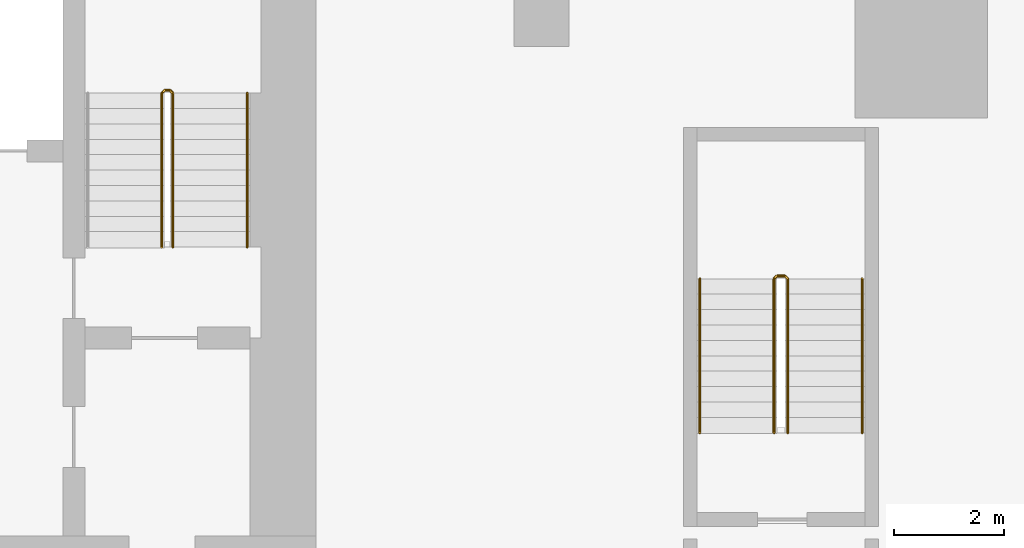
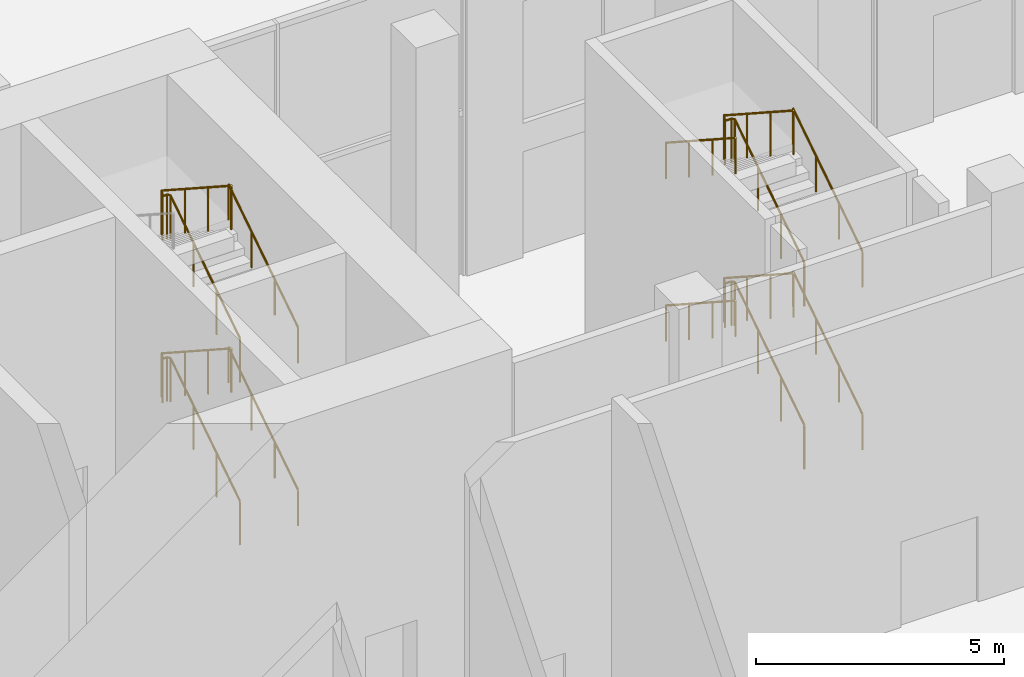
# One storey, part 31 of 31: 10 railings.
"""IFC4 building model written with IfcOpenShell, lengths in metres."""

from ifc_helpers import new_model, si_unit, direction, frame, origin, origin_2d, place, context, subcontext, project, spatial, circle, extrude, material, type_object, element, save


model = new_model("IFC4")

# Units and contexts
model_context = context("Model", 3, precision=1e-05, world=origin(), true_north=direction((0.0, 1.0)))
body_context = subcontext(model_context, "Body", "Model", "MODEL_VIEW")
ifc_project = project(units=[si_unit("LENGTHUNIT", "METRE"), si_unit("AREAUNIT", "SQUARE_METRE"), si_unit("VOLUMEUNIT", "CUBIC_METRE"), si_unit("PLANEANGLEUNIT", "RADIAN"), si_unit("MASSUNIT", "GRAM", prefix="KILO")], contexts=[model_context])

# Site, building, storey
site_placement = place(None, origin())
site = spatial("IfcSite", under=ifc_project, at=site_placement, CompositionType="ELEMENT")
building_placement = place(site_placement, origin())
building = spatial("IfcBuilding", under=site, at=building_placement, Name="Bicima Exchange Tower", CompositionType="ELEMENT")
storey_placement = place(building_placement, origin())
storey = spatial("IfcBuildingStorey", under=building, at=storey_placement, Name="L00", CompositionType="ELEMENT", Elevation=0.0)

# Railings
ifc_material = material(Name="Stainless steel", Category="steel")
railing_type_1 = type_object("IfcRailingType", Name="Stair guard 1100", PredefinedType="GUARDRAIL", material=ifc_material)
railing_1_placement = place(storey_placement, frame((19.39990234375, -6.550048828125, 0.181884765625)))
element("IfcRailing", 1, at=railing_1_placement, inside=storey, type_object=railing_type_1, Name="L00 ST-E stair guard 1", PredefinedType="GUARDRAIL", context=body_context, shape_type="SweptSolid", body=[
    extrude(circle(Radius=0.02392578125, at=origin_2d()), frame((0.0, 0.0, 1.076171875), z_axis=(0.0, 0.838705829183, 0.544584733623), x_axis=(-1.0, 0.0, 0.0)), (0.0, 0.0, 1.0), 3.338623046875),
    extrude(circle(Radius=0.02392578125, at=origin_2d()), frame((0.0, 2.800048828125, 2.89404296875), z_axis=(-0.705375805398, 0.708833529934, 0.0), x_axis=(-0.708833529934, -0.705375805398, 0.0)), (0.0, 0.0, 1.0), 0.070556640625),
    extrude(circle(Radius=0.02392578125, at=origin_2d()), frame((-0.0498046875, 2.85009765625, 2.89404296875), z_axis=(-1.0, 0.0, 0.0), x_axis=(0.0, -1.0, 0.0)), (0.0, 0.0, 1.0), 0.10009765625),
    extrude(circle(Radius=0.02392578125, at=origin_2d()), frame((-0.14990234375, 2.85009765625, 2.89404296875), z_axis=(-0.256435381639, -0.256435381639, 0.931923704005), x_axis=(0.707106781187, -0.707106781187, 0.0)), (0.0, 0.0, 1.0), 0.195068359375),
    extrude(circle(Radius=0.02392578125, at=origin_2d()), frame((-0.199951171875, 2.800048828125, 3.076171875), z_axis=(0.0, -0.838705829183, 0.544584733623), x_axis=(1.0, 0.0, 0.0)), (0.0, 0.0, 1.0), 3.338623046875),
    extrude(circle(Radius=0.02099609375, at=origin_2d()), origin(), (0.0, 0.0, 1.0), 1.052001953125),
    extrude(circle(Radius=0.02099609375, at=origin_2d()), frame((0.0, 0.933349609375, 0.60595703125)), (0.0, 0.0, 1.0), 1.052001953125),
    extrude(circle(Radius=0.02099609375, at=origin_2d()), frame((0.0, 1.86669921875, 1.212158203125)), (0.0, 0.0, 1.0), 1.052001953125),
    extrude(circle(Radius=0.02099609375, at=origin_2d()), frame((0.0, 2.800048828125, 1.818115234375)), (0.0, 0.0, 1.0), 1.052001953125),
    extrude(circle(Radius=0.02099609375, at=origin_2d()), frame((-0.0498046875, 2.85009765625, 1.818115234375)), (0.0, 0.0, 1.0), 1.052001953125),
    extrude(circle(Radius=0.02099609375, at=origin_2d()), frame((-0.14990234375, 2.85009765625, 1.818115234375)), (0.0, 0.0, 1.0), 1.052001953125),
    extrude(circle(Radius=0.02099609375, at=origin_2d()), frame((-0.199951171875, 2.800048828125, 2.0)), (0.0, 0.0, 1.0), 1.052001953125),
    extrude(circle(Radius=0.02099609375, at=origin_2d()), frame((-0.199951171875, 1.86669921875, 2.60595703125)), (0.0, 0.0, 1.0), 1.052001953125),
    extrude(circle(Radius=0.02099609375, at=origin_2d()), frame((-0.199951171875, 0.933349609375, 3.212158203125)), (0.0, 0.0, 1.0), 1.052001953125),
    extrude(circle(Radius=0.02099609375, at=origin_2d()), frame((-0.199951171875, 0.0, 3.818115234375)), (0.0, 0.0, 1.0), 1.052001953125),
])
railing_2_placement = place(storey_placement, frame((19.39990234375, -6.550048828125, 4.181884765625)))
element("IfcRailing", 2, at=railing_2_placement, inside=storey, type_object=railing_type_1, Name="L00 ST-E stair guard 2", PredefinedType="GUARDRAIL", context=body_context, shape_type="SweptSolid", body=[
    extrude(circle(Radius=0.02392578125, at=origin_2d()), frame((0.0, 0.0, 1.076171875), z_axis=(0.0, 0.838705829183, 0.544584733623), x_axis=(-1.0, 0.0, 0.0)), (0.0, 0.0, 1.0), 3.338623046875),
    extrude(circle(Radius=0.02392578125, at=origin_2d()), frame((0.0, 2.800048828125, 2.89404296875), z_axis=(-0.705375805398, 0.708833529934, 0.0), x_axis=(-0.708833529934, -0.705375805398, 0.0)), (0.0, 0.0, 1.0), 0.070556640625),
    extrude(circle(Radius=0.02392578125, at=origin_2d()), frame((-0.0498046875, 2.85009765625, 2.89404296875), z_axis=(-1.0, 0.0, 0.0), x_axis=(0.0, -1.0, 0.0)), (0.0, 0.0, 1.0), 0.10009765625),
    extrude(circle(Radius=0.02392578125, at=origin_2d()), frame((-0.14990234375, 2.85009765625, 2.89404296875), z_axis=(-0.256435381639, -0.256435381639, 0.931923704005), x_axis=(0.707106781187, -0.707106781187, 0.0)), (0.0, 0.0, 1.0), 0.195068359375),
    extrude(circle(Radius=0.02392578125, at=origin_2d()), frame((-0.199951171875, 2.800048828125, 3.076171875), z_axis=(0.0, -0.838705829183, 0.544584733623), x_axis=(1.0, 0.0, 0.0)), (0.0, 0.0, 1.0), 3.338623046875),
    extrude(circle(Radius=0.02099609375, at=origin_2d()), origin(), (0.0, 0.0, 1.0), 1.052001953125),
    extrude(circle(Radius=0.02099609375, at=origin_2d()), frame((0.0, 0.933349609375, 0.60595703125)), (0.0, 0.0, 1.0), 1.052001953125),
    extrude(circle(Radius=0.02099609375, at=origin_2d()), frame((0.0, 1.86669921875, 1.212158203125)), (0.0, 0.0, 1.0), 1.052001953125),
    extrude(circle(Radius=0.02099609375, at=origin_2d()), frame((0.0, 2.800048828125, 1.818115234375)), (0.0, 0.0, 1.0), 1.052001953125),
    extrude(circle(Radius=0.02099609375, at=origin_2d()), frame((-0.0498046875, 2.85009765625, 1.818115234375)), (0.0, 0.0, 1.0), 1.052001953125),
    extrude(circle(Radius=0.02099609375, at=origin_2d()), frame((-0.14990234375, 2.85009765625, 1.818115234375)), (0.0, 0.0, 1.0), 1.052001953125),
    extrude(circle(Radius=0.02099609375, at=origin_2d()), frame((-0.199951171875, 2.800048828125, 2.0)), (0.0, 0.0, 1.0), 1.052001953125),
    extrude(circle(Radius=0.02099609375, at=origin_2d()), frame((-0.199951171875, 1.86669921875, 2.60595703125)), (0.0, 0.0, 1.0), 1.052001953125),
    extrude(circle(Radius=0.02099609375, at=origin_2d()), frame((-0.199951171875, 0.933349609375, 3.212158203125)), (0.0, 0.0, 1.0), 1.052001953125),
    extrude(circle(Radius=0.02099609375, at=origin_2d()), frame((-0.199951171875, 0.0, 3.818115234375)), (0.0, 0.0, 1.0), 1.052001953125),
])
railing_3_placement = place(storey_placement, frame((30.574951171875, -9.925048828125, 0.181884765625)))
element("IfcRailing", 3, at=railing_3_placement, inside=storey, type_object=railing_type_1, Name="L00 ST-EE stair guard 1", PredefinedType="GUARDRAIL", context=body_context, shape_type="SweptSolid", body=[
    extrude(circle(Radius=0.02392578125, at=origin_2d()), frame((0.0, 0.0, 1.076171875), z_axis=(0.0, 0.838705829183, 0.544584733623), x_axis=(-1.0, 0.0, 0.0)), (0.0, 0.0, 1.0), 3.338623046875),
    extrude(circle(Radius=0.02392578125, at=origin_2d()), frame((0.0, 2.800048828125, 2.89404296875), z_axis=(-0.707106781187, 0.707106781187, 0.0), x_axis=(-0.707106781187, -0.707106781187, 0.0)), (0.0, 0.0, 1.0), 0.07080078125),
    extrude(circle(Radius=0.02392578125, at=origin_2d()), frame((-0.050048828125, 2.85009765625, 2.89404296875), z_axis=(-1.0, 0.0, 0.0), x_axis=(0.0, -1.0, 0.0)), (0.0, 0.0, 1.0), 0.14990234375),
    extrude(circle(Radius=0.02392578125, at=origin_2d()), frame((-0.199951171875, 2.85009765625, 2.89404296875), z_axis=(-0.256435381639, -0.256435381639, 0.931923704005), x_axis=(0.707106781187, -0.707106781187, 0.0)), (0.0, 0.0, 1.0), 0.195068359375),
    extrude(circle(Radius=0.02392578125, at=origin_2d()), frame((-0.25, 2.800048828125, 3.076171875), z_axis=(0.0, -0.838705829183, 0.544584733623), x_axis=(1.0, 0.0, 0.0)), (0.0, 0.0, 1.0), 3.338623046875),
    extrude(circle(Radius=0.02099609375, at=origin_2d()), origin(), (0.0, 0.0, 1.0), 1.052001953125),
    extrude(circle(Radius=0.02099609375, at=origin_2d()), frame((0.0, 0.933349609375, 0.60595703125)), (0.0, 0.0, 1.0), 1.052001953125),
    extrude(circle(Radius=0.02099609375, at=origin_2d()), frame((0.0, 1.86669921875, 1.212158203125)), (0.0, 0.0, 1.0), 1.052001953125),
    extrude(circle(Radius=0.02099609375, at=origin_2d()), frame((0.0, 2.800048828125, 1.818115234375)), (0.0, 0.0, 1.0), 1.052001953125),
    extrude(circle(Radius=0.02099609375, at=origin_2d()), frame((-0.050048828125, 2.85009765625, 1.818115234375)), (0.0, 0.0, 1.0), 1.052001953125),
    extrude(circle(Radius=0.02099609375, at=origin_2d()), frame((-0.199951171875, 2.85009765625, 1.818115234375)), (0.0, 0.0, 1.0), 1.052001953125),
    extrude(circle(Radius=0.02099609375, at=origin_2d()), frame((-0.25, 2.800048828125, 2.0)), (0.0, 0.0, 1.0), 1.052001953125),
    extrude(circle(Radius=0.02099609375, at=origin_2d()), frame((-0.25, 1.86669921875, 2.60595703125)), (0.0, 0.0, 1.0), 1.052001953125),
    extrude(circle(Radius=0.02099609375, at=origin_2d()), frame((-0.25, 0.933349609375, 3.212158203125)), (0.0, 0.0, 1.0), 1.052001953125),
    extrude(circle(Radius=0.02099609375, at=origin_2d()), frame((-0.25, 0.0, 3.818115234375)), (0.0, 0.0, 1.0), 1.052001953125),
])
railing_4_placement = place(storey_placement, frame((30.574951171875, -9.925048828125, 4.181884765625)))
element("IfcRailing", 4, at=railing_4_placement, inside=storey, type_object=railing_type_1, Name="L00 ST-EE stair guard 2", PredefinedType="GUARDRAIL", context=body_context, shape_type="SweptSolid", body=[
    extrude(circle(Radius=0.02392578125, at=origin_2d()), frame((0.0, 0.0, 1.076171875), z_axis=(0.0, 0.838705829183, 0.544584733623), x_axis=(-1.0, 0.0, 0.0)), (0.0, 0.0, 1.0), 3.338623046875),
    extrude(circle(Radius=0.02392578125, at=origin_2d()), frame((0.0, 2.800048828125, 2.89404296875), z_axis=(-0.707106781187, 0.707106781187, 0.0), x_axis=(-0.707106781187, -0.707106781187, 0.0)), (0.0, 0.0, 1.0), 0.07080078125),
    extrude(circle(Radius=0.02392578125, at=origin_2d()), frame((-0.050048828125, 2.85009765625, 2.89404296875), z_axis=(-1.0, 0.0, 0.0), x_axis=(0.0, -1.0, 0.0)), (0.0, 0.0, 1.0), 0.14990234375),
    extrude(circle(Radius=0.02392578125, at=origin_2d()), frame((-0.199951171875, 2.85009765625, 2.89404296875), z_axis=(-0.256435381639, -0.256435381639, 0.931923704005), x_axis=(0.707106781187, -0.707106781187, 0.0)), (0.0, 0.0, 1.0), 0.195068359375),
    extrude(circle(Radius=0.02392578125, at=origin_2d()), frame((-0.25, 2.800048828125, 3.076171875), z_axis=(0.0, -0.838705829183, 0.544584733623), x_axis=(1.0, 0.0, 0.0)), (0.0, 0.0, 1.0), 3.338623046875),
    extrude(circle(Radius=0.02099609375, at=origin_2d()), origin(), (0.0, 0.0, 1.0), 1.052001953125),
    extrude(circle(Radius=0.02099609375, at=origin_2d()), frame((0.0, 0.933349609375, 0.60595703125)), (0.0, 0.0, 1.0), 1.052001953125),
    extrude(circle(Radius=0.02099609375, at=origin_2d()), frame((0.0, 1.86669921875, 1.212158203125)), (0.0, 0.0, 1.0), 1.052001953125),
    extrude(circle(Radius=0.02099609375, at=origin_2d()), frame((0.0, 2.800048828125, 1.818115234375)), (0.0, 0.0, 1.0), 1.052001953125),
    extrude(circle(Radius=0.02099609375, at=origin_2d()), frame((-0.050048828125, 2.85009765625, 1.818115234375)), (0.0, 0.0, 1.0), 1.052001953125),
    extrude(circle(Radius=0.02099609375, at=origin_2d()), frame((-0.199951171875, 2.85009765625, 1.818115234375)), (0.0, 0.0, 1.0), 1.052001953125),
    extrude(circle(Radius=0.02099609375, at=origin_2d()), frame((-0.25, 2.800048828125, 2.0)), (0.0, 0.0, 1.0), 1.052001953125),
    extrude(circle(Radius=0.02099609375, at=origin_2d()), frame((-0.25, 1.86669921875, 2.60595703125)), (0.0, 0.0, 1.0), 1.052001953125),
    extrude(circle(Radius=0.02099609375, at=origin_2d()), frame((-0.25, 0.933349609375, 3.212158203125)), (0.0, 0.0, 1.0), 1.052001953125),
    extrude(circle(Radius=0.02099609375, at=origin_2d()), frame((-0.25, 0.0, 3.818115234375)), (0.0, 0.0, 1.0), 1.052001953125),
])
railing_type_2 = type_object("IfcRailingType", Name="Stair handrail 900", PredefinedType="HANDRAIL", material=ifc_material)
for number, where, name in (
    (5, (20.75, -6.550048828125, 0.181884765625), "L00 ST-E stair handrail 1"),
    (6, (20.75, -6.550048828125, 4.181884765625), "L00 ST-E stair handrail 3"),
    (7, (31.925048828125, -9.925048828125, 0.181884765625), "L00 ST-EE stair handrail 1"),
):
    element("IfcRailing", number, at=place(storey_placement, frame(where)), inside=storey, type_object=railing_type_2, Name=name, PredefinedType="HANDRAIL", context=body_context, shape_type="SweptSolid", body=[
        extrude(circle(Radius=0.02392578125, at=origin_2d()), frame((0.0, 0.0, 0.8759765625), z_axis=(0.0, 0.838705829183, 0.544584733623), x_axis=(-1.0, 0.0, 0.0)), (0.0, 0.0, 1.0), 3.338623046875),
        extrude(circle(Radius=0.02099609375, at=origin_2d()), origin(), (0.0, 0.0, 1.0), 0.851806640625),
        extrude(circle(Radius=0.02099609375, at=origin_2d()), frame((0.0, 0.933349609375, 0.60595703125)), (0.0, 0.0, 1.0), 0.851806640625),
        extrude(circle(Radius=0.02099609375, at=origin_2d()), frame((0.0, 1.86669921875, 1.212158203125)), (0.0, 0.0, 1.0), 0.851806640625),
        extrude(circle(Radius=0.02099609375, at=origin_2d()), frame((0.0, 2.800048828125, 1.818115234375)), (0.0, 0.0, 1.0), 0.851806640625),
    ])
railing_5_placement = place(storey_placement, frame((28.97509765625, -7.125, 2.181884765625)))
element("IfcRailing", 8, at=railing_5_placement, inside=storey, type_object=railing_type_2, Name="L00 ST-EE stair handrail 2", PredefinedType="HANDRAIL", context=body_context, shape_type="SweptSolid", body=[
    extrude(circle(Radius=0.02392578125, at=origin_2d()), frame((0.0, 0.0, 0.8759765625), z_axis=(0.0, -0.838705829183, 0.544584733623), x_axis=(1.0, 0.0, 0.0)), (0.0, 0.0, 1.0), 3.338623046875),
    extrude(circle(Radius=0.02099609375, at=origin_2d()), origin(), (0.0, 0.0, 1.0), 0.851806640625),
    extrude(circle(Radius=0.02099609375, at=origin_2d()), frame((0.0, -0.933349609375, 0.60595703125)), (0.0, 0.0, 1.0), 0.851806640625),
    extrude(circle(Radius=0.02099609375, at=origin_2d()), frame((0.0, -1.86669921875, 1.212158203125)), (0.0, 0.0, 1.0), 0.851806640625),
    extrude(circle(Radius=0.02099609375, at=origin_2d()), frame((0.0, -2.800048828125, 1.818115234375)), (0.0, 0.0, 1.0), 0.851806640625),
])
railing_6_placement = place(storey_placement, frame((31.925048828125, -9.925048828125, 4.181884765625)))
element("IfcRailing", 9, at=railing_6_placement, inside=storey, type_object=railing_type_2, Name="L00 ST-EE stair handrail 3", PredefinedType="HANDRAIL", context=body_context, shape_type="SweptSolid", body=[
    extrude(circle(Radius=0.02392578125, at=origin_2d()), frame((0.0, 0.0, 0.8759765625), z_axis=(0.0, 0.838705829183, 0.544584733623), x_axis=(-1.0, 0.0, 0.0)), (0.0, 0.0, 1.0), 3.338623046875),
    extrude(circle(Radius=0.02099609375, at=origin_2d()), origin(), (0.0, 0.0, 1.0), 0.851806640625),
    extrude(circle(Radius=0.02099609375, at=origin_2d()), frame((0.0, 0.933349609375, 0.60595703125)), (0.0, 0.0, 1.0), 0.851806640625),
    extrude(circle(Radius=0.02099609375, at=origin_2d()), frame((0.0, 1.86669921875, 1.212158203125)), (0.0, 0.0, 1.0), 0.851806640625),
    extrude(circle(Radius=0.02099609375, at=origin_2d()), frame((0.0, 2.800048828125, 1.818115234375)), (0.0, 0.0, 1.0), 0.851806640625),
])
railing_7_placement = place(storey_placement, frame((28.97509765625, -7.125, 6.181884765625)))
element("IfcRailing", 10, at=railing_7_placement, inside=storey, type_object=railing_type_2, Name="L00 ST-EE stair handrail 4", PredefinedType="HANDRAIL", context=body_context, shape_type="SweptSolid", body=[
    extrude(circle(Radius=0.02392578125, at=origin_2d()), frame((0.0, 0.0, 0.8759765625), z_axis=(0.0, -0.838705829183, 0.544584733623), x_axis=(1.0, 0.0, 0.0)), (0.0, 0.0, 1.0), 3.338623046875),
    extrude(circle(Radius=0.02099609375, at=origin_2d()), origin(), (0.0, 0.0, 1.0), 0.851806640625),
    extrude(circle(Radius=0.02099609375, at=origin_2d()), frame((0.0, -0.933349609375, 0.60595703125)), (0.0, 0.0, 1.0), 0.851806640625),
    extrude(circle(Radius=0.02099609375, at=origin_2d()), frame((0.0, -1.86669921875, 1.212158203125)), (0.0, 0.0, 1.0), 0.851806640625),
    extrude(circle(Radius=0.02099609375, at=origin_2d()), frame((0.0, -2.800048828125, 1.818115234375)), (0.0, 0.0, 1.0), 0.851806640625),
])

save(model, "model.ifc")
